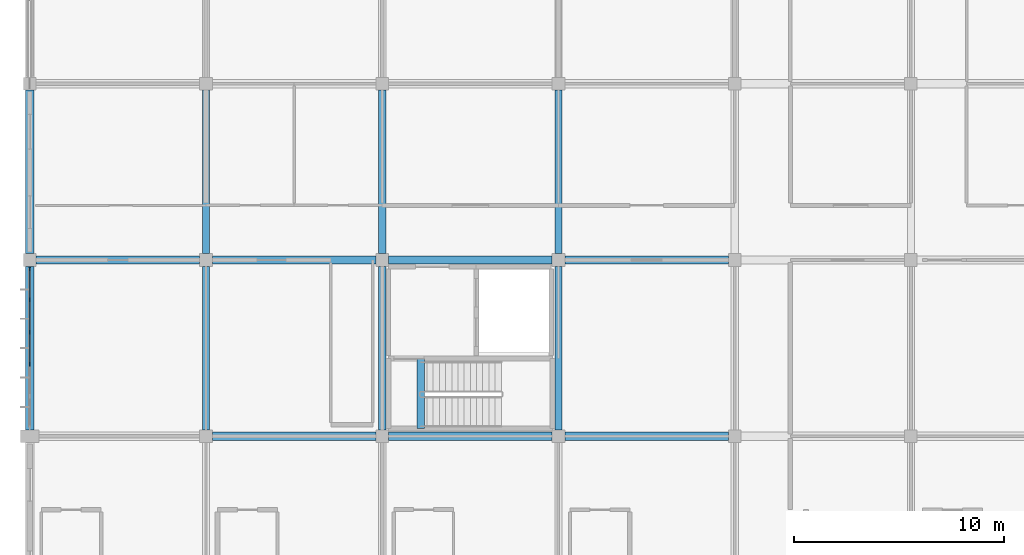
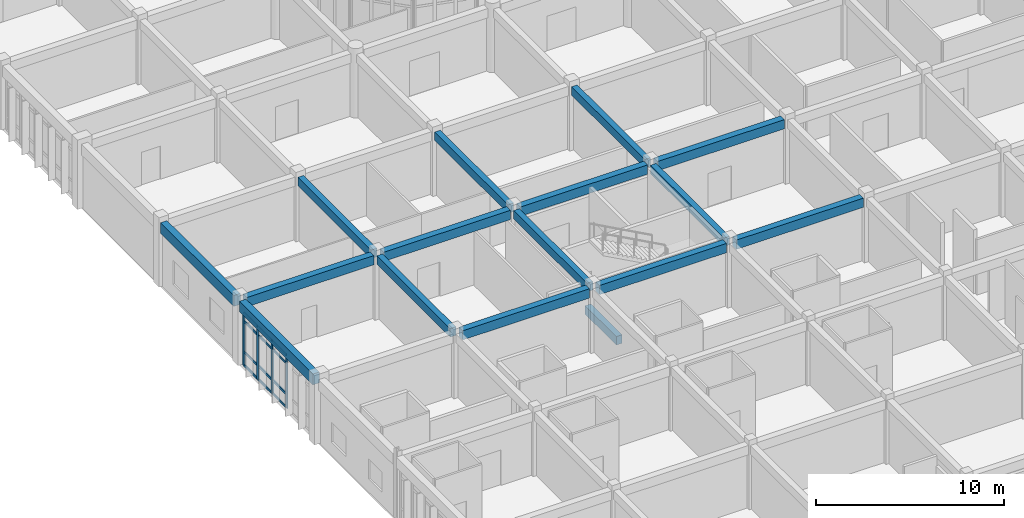
# One storey, part 19 of 144: 16 beams, 16 members, 1 element without a shape of its own.
"""IFC4 building model written with IfcOpenShell, lengths in metres."""

from ifc_helpers import new_model, si_unit, direction, frame, origin, origin_2d, place, context, subcontext, project, spatial, rectangle, extrude, material, layer, layer_set, material_profile, profile_set, type_object, element, aggregate, save


model = new_model("IFC4")

# Units and contexts
model_context = context("Model", 3, precision=1e-05, world=origin(), true_north=direction((0.0, 1.0)))
body_context = subcontext(model_context, "Body", "Model", "MODEL_VIEW")
ifc_project = project(units=[si_unit("LENGTHUNIT", "METRE"), si_unit("AREAUNIT", "SQUARE_METRE"), si_unit("VOLUMEUNIT", "CUBIC_METRE"), si_unit("PLANEANGLEUNIT", "RADIAN"), si_unit("MASSUNIT", "GRAM", prefix="KILO")], contexts=[model_context])

# Site, building, storey
site_placement = place(None, origin())
site = spatial("IfcSite", under=ifc_project, at=site_placement, CompositionType="ELEMENT")
building_placement = place(site_placement, origin())
building = spatial("IfcBuilding", under=site, at=building_placement, Name="Bramfleet General Hospital", CompositionType="ELEMENT")
storey_placement = place(building_placement, frame((0.0, 0.0, 4.800048828125)))
storey = spatial("IfcBuildingStorey", under=building, at=storey_placement, Name="L01", CompositionType="ELEMENT", Elevation=4.800048828125)

# Beams
ifc_material_1 = material(Name="Concrete C35/45", Category="concrete")
ifc_material_profile_1 = material_profile(ifc_material_1, rectangle(XDim=0.35009765625, YDim=0.550048828125, at=origin_2d()), Name="RC BM 550x350")
ifc_profile_set_1 = profile_set([ifc_material_profile_1], Name="Concrete C35/45")
beam_type_1 = type_object("IfcBeamType", Name="BM-RC550", PredefinedType="BEAM", material=ifc_profile_set_1)
beam_1_placement = place(storey_placement, frame((8.39990234375, 50.699951171875, 3.875), z_axis=(0.0, 1.0, 0.0), x_axis=(-1.0, 0.0, 0.0)))
element("IfcBeam", 1, at=beam_1_placement, inside=storey, type_object=beam_type_1, Name="L01 Grid Beam Y 01-06", PredefinedType="BEAM", context=body_context, shape_type="SweptSolid", body=[
    extrude(rectangle(XDim=0.35009765625, YDim=0.550048828125, at=origin_2d()), origin(), (0.0, 0.0, 1.0), 7.800048828125),
])
beam_2_placement = place(storey_placement, frame((8.39990234375, 59.10009765625, 3.875), z_axis=(0.0, 1.0, 0.0), x_axis=(-1.0, 0.0, 0.0)))
element("IfcBeam", 2, at=beam_2_placement, inside=storey, type_object=beam_type_1, Name="L01 Grid Beam Y 01-07", PredefinedType="BEAM", context=body_context, shape_type="SweptSolid", body=[
    extrude(rectangle(XDim=0.35009765625, YDim=0.550048828125, at=origin_2d()), origin(), (0.0, 0.0, 1.0), 7.7998046875),
])
beam_3_placement = place(storey_placement, frame((16.800048828125, 50.699951171875, 3.875), z_axis=(0.0, 1.0, 0.0), x_axis=(-1.0, 0.0, 0.0)))
element("IfcBeam", 3, at=beam_3_placement, inside=storey, type_object=beam_type_1, Name="L01 Grid Beam Y 02-06", PredefinedType="BEAM", context=body_context, shape_type="SweptSolid", body=[
    extrude(rectangle(XDim=0.35009765625, YDim=0.550048828125, at=origin_2d()), origin(), (0.0, 0.0, 1.0), 7.800048828125),
])
beam_4_placement = place(storey_placement, frame((16.800048828125, 59.10009765625, 3.875), z_axis=(0.0, 1.0, 0.0), x_axis=(-1.0, 0.0, 0.0)))
element("IfcBeam", 4, at=beam_4_placement, inside=storey, type_object=beam_type_1, Name="L01 Grid Beam Y 02-07", PredefinedType="BEAM", context=body_context, shape_type="SweptSolid", body=[
    extrude(rectangle(XDim=0.35009765625, YDim=0.550048828125, at=origin_2d()), origin(), (0.0, 0.0, 1.0), 7.7998046875),
])
beam_5_placement = place(storey_placement, frame((25.199951171875, 50.699951171875, 3.875), z_axis=(0.0, 1.0, 0.0), x_axis=(-1.0, 0.0, 0.0)))
element("IfcBeam", 5, at=beam_5_placement, inside=storey, type_object=beam_type_1, Name="L01 Grid Beam Y 03-06", PredefinedType="BEAM", context=body_context, shape_type="SweptSolid", body=[
    extrude(rectangle(XDim=0.35009765625, YDim=0.550048828125, at=origin_2d()), origin(), (0.0, 0.0, 1.0), 7.800048828125),
])
beam_6_placement = place(storey_placement, frame((25.199951171875, 59.10009765625, 3.875), z_axis=(0.0, 1.0, 0.0), x_axis=(-1.0, 0.0, 0.0)))
element("IfcBeam", 6, at=beam_6_placement, inside=storey, type_object=beam_type_1, Name="L01 Grid Beam Y 03-07", PredefinedType="BEAM", context=body_context, shape_type="SweptSolid", body=[
    extrude(rectangle(XDim=0.35009765625, YDim=0.550048828125, at=origin_2d()), origin(), (0.0, 0.0, 1.0), 7.7998046875),
])
beam_7_placement = place(storey_placement, frame((18.639892578125, 50.780029296875, -0.275146484375), z_axis=(0.0, 1.0, 0.0), x_axis=(-1.0, 0.0, 0.0)))
element("IfcBeam", 7, at=beam_7_placement, inside=storey, type_object=beam_type_1, Name="L01 C2 Stairwell Trimmer Beam", PredefinedType="BEAM", context=body_context, shape_type="SweptSolid", body=[
    extrude(rectangle(XDim=0.35009765625, YDim=0.550048828125, at=origin_2d()), origin(), (0.0, 0.0, 1.0), 3.320068359375),
])
ifc_material_profile_2 = material_profile(ifc_material_1, rectangle(XDim=0.39990234375, YDim=0.60009765625, at=origin_2d()), Name="RC BM 600x400")
ifc_profile_set_2 = profile_set([ifc_material_profile_2], Name="Concrete C35/45")
beam_type_2 = type_object("IfcBeamType", Name="BM-RC600", PredefinedType="BEAM", material=ifc_profile_set_2)
for number, where, z_axis, x_axis, name in (
    (8, (0.300048828125, 58.800048828125, 3.849853515625), (1.0, 0.0, 0.0), (0.0, 1.0, 0.0), "L01 Grid Beam X 00-07"),
    (9, (8.699951171875, 50.39990234375, 3.849853515625), (1.0, 0.0, 0.0), (0.0, 1.0, 0.0), "L01 Grid Beam X 01-06"),
    (10, (8.699951171875, 58.800048828125, 3.849853515625), (1.0, 0.0, 0.0), (0.0, 1.0, 0.0), "L01 Grid Beam X 01-07"),
):
    element("IfcBeam", number, at=place(storey_placement, frame(where, z_axis=z_axis, x_axis=x_axis)), inside=storey, type_object=beam_type_2, Name=name, PredefinedType="BEAM", context=body_context, shape_type="SweptSolid", body=[
        extrude(rectangle(XDim=0.39990234375, YDim=0.60009765625, at=origin_2d()), origin(), (0.0, 0.0, 1.0), 7.800048828125),
    ])
for number, where, z_axis, x_axis, name in (
    (11, (17.10009765625, 50.39990234375, 3.849853515625), (1.0, 0.0, 0.0), (0.0, 1.0, 0.0), "L01 Grid Beam X 02-06"),
    (12, (17.10009765625, 58.800048828125, 3.849853515625), (1.0, 0.0, 0.0), (0.0, 1.0, 0.0), "L01 Grid Beam X 02-07"),
):
    element("IfcBeam", number, at=place(storey_placement, frame(where, z_axis=z_axis, x_axis=x_axis)), inside=storey, type_object=beam_type_2, Name=name, PredefinedType="BEAM", context=body_context, shape_type="SweptSolid", body=[
        extrude(rectangle(XDim=0.39990234375, YDim=0.60009765625, at=origin_2d()), origin(), (0.0, 0.0, 1.0), 7.7998046875),
    ])
for number, where, z_axis, x_axis, name in (
    (13, (25.5, 50.39990234375, 3.849853515625), (1.0, 0.0, 0.0), (0.0, 1.0, 0.0), "L01 Grid Beam X 03-06"),
    (14, (25.5, 58.800048828125, 3.849853515625), (1.0, 0.0, 0.0), (0.0, 1.0, 0.0), "L01 Grid Beam X 03-07"),
):
    element("IfcBeam", number, at=place(storey_placement, frame(where, z_axis=z_axis, x_axis=x_axis)), inside=storey, type_object=beam_type_2, Name=name, PredefinedType="BEAM", context=body_context, shape_type="SweptSolid", body=[
        extrude(rectangle(XDim=0.39990234375, YDim=0.60009765625, at=origin_2d()), origin(), (0.0, 0.0, 1.0), 7.800048828125),
    ])
ifc_material_profile_3 = material_profile(ifc_material_1, rectangle(XDim=0.39990234375, YDim=0.699951171875, at=origin_2d()), Name="RC SP 700x400")
ifc_profile_set_3 = profile_set([ifc_material_profile_3], Name="Concrete C35/45")
beam_type_3 = type_object("IfcBeamType", Name="BM-SP700", PredefinedType="SPANDREL", material=ifc_profile_set_3)
beam_8_placement = place(storey_placement, frame((0.0, 50.699951171875, 3.800048828125), z_axis=(0.0, 1.0, 0.0), x_axis=(-1.0, 0.0, 0.0)))
element("IfcBeam", 15, at=beam_8_placement, inside=storey, type_object=beam_type_3, Name="L01 Grid Beam Y 00-06", PredefinedType="SPANDREL", context=body_context, shape_type="SweptSolid", body=[
    extrude(rectangle(XDim=0.39990234375, YDim=0.699951171875, at=origin_2d()), origin(), (0.0, 0.0, 1.0), 7.800048828125),
])
beam_9_placement = place(storey_placement, frame((0.0, 59.10009765625, 3.800048828125), z_axis=(0.0, 1.0, 0.0), x_axis=(-1.0, 0.0, 0.0)))
element("IfcBeam", 16, at=beam_9_placement, inside=storey, type_object=beam_type_3, Name="L01 Grid Beam Y 00-07", PredefinedType="SPANDREL", context=body_context, shape_type="SweptSolid", body=[
    extrude(rectangle(XDim=0.39990234375, YDim=0.699951171875, at=origin_2d()), origin(), (0.0, 0.0, 1.0), 7.7998046875),
])

# Curtain wall, members
ifc_material_2 = material(Name="Anodised aluminium and low-E triple glazing", Category="aluminium")
ifc_layer = layer(ifc_material_2, 0.179931640625, Name="CWT-CW-03")
ifc_layer_set = layer_set([ifc_layer], Name="Anodised aluminium and low-E triple glazing")
curtain_wall_type = type_object("IfcCurtainWallType", Name="CWT-CW-03", PredefinedType="USERDEFINED", material=ifc_layer_set)
curtain_wall_placement = place(storey_placement, origin())
curtain_wall = element("IfcCurtainWall", 17, at=curtain_wall_placement, inside=storey, type_object=curtain_wall_type, Name="L01 Curtain Wall 93", ObjectType="Unitised curtain wall", PredefinedType="USERDEFINED")
ifc_material_3 = material(Name="Structural timber GL28h", Category="wood")
ifc_material_profile_4 = material_profile(ifc_material_3, rectangle(XDim=0.070068359375, YDim=0.18994140625, at=origin_2d()), Name="LARCH 190x70")
ifc_profile_set_4 = profile_set([ifc_material_profile_4], Name="Structural timber GL28h")
member_type_1 = type_object("IfcMemberType", Name="CWM-LARCH450", PredefinedType="MULLION", material=ifc_profile_set_4)
member_1_placement = place(storey_placement, frame((0.0, 53.8349609375, 0.0), z_axis=(0.0, 0.0, 1.0), x_axis=(-1.0, 0.0, 0.0)))
member_1 = element("IfcMember", 18, at=member_1_placement, type_object=member_type_1, Name="CW-03 mullion 3", PredefinedType="MULLION", context=body_context, shape_type="SweptSolid", body=[
    extrude(rectangle(XDim=0.070068359375, YDim=0.18994140625, at=origin_2d()), origin(), (0.0, 0.0, 1.0), 3.43994140625),
])
member_2_placement = place(storey_placement, frame((0.0, 55.364990234375, 0.0), z_axis=(0.0, 0.0, 1.0), x_axis=(-1.0, 0.0, 0.0)))
member_2 = element("IfcMember", 19, at=member_2_placement, type_object=member_type_1, Name="CW-03 mullion 4", PredefinedType="MULLION", context=body_context, shape_type="SweptSolid", body=[
    extrude(rectangle(XDim=0.070068359375, YDim=0.18994140625, at=origin_2d()), origin(), (0.0, 0.0, 1.0), 3.43994140625),
])
member_3_placement = place(storey_placement, frame((0.0, 56.89501953125, 0.0), z_axis=(0.0, 0.0, 1.0), x_axis=(-1.0, 0.0, 0.0)))
member_3 = element("IfcMember", 20, at=member_3_placement, type_object=member_type_1, Name="CW-03 mullion 5", PredefinedType="MULLION", context=body_context, shape_type="SweptSolid", body=[
    extrude(rectangle(XDim=0.070068359375, YDim=0.18994140625, at=origin_2d()), origin(), (0.0, 0.0, 1.0), 3.43994140625),
])
member_4_placement = place(storey_placement, frame((0.0, 58.389892578125, 0.0), z_axis=(0.0, 0.0, 1.0), x_axis=(-1.0, 0.0, 0.0)))
member_4 = element("IfcMember", 21, at=member_4_placement, type_object=member_type_1, Name="CW-03 mullion 6", PredefinedType="MULLION", context=body_context, shape_type="SweptSolid", body=[
    extrude(rectangle(XDim=0.070068359375, YDim=0.18994140625, at=origin_2d()), origin(), (0.0, 0.0, 1.0), 3.43994140625),
])
ifc_material_profile_5 = material_profile(ifc_material_3, rectangle(XDim=0.06494140625, YDim=0.14990234375, at=origin_2d()), Name="LARCH 150x65")
ifc_profile_set_5 = profile_set([ifc_material_profile_5], Name="Structural timber GL28h")
member_type_2 = type_object("IfcMemberType", Name="CWT-LARCH220", PredefinedType="USERDEFINED", material=ifc_profile_set_5)
member_5_placement = place(storey_placement, frame((0.0, 53.8701171875, 0.032470703125), z_axis=(0.0, 1.0, 0.0), x_axis=(-1.0, 0.0, 0.0)))
member_5 = element("IfcMember", 22, at=member_5_placement, type_object=member_type_2, Name="CW-03 transom 3.1", ObjectType="TRANSOM", PredefinedType="USERDEFINED", context=body_context, shape_type="SweptSolid", body=[
    extrude(rectangle(XDim=0.06494140625, YDim=0.14990234375, at=origin_2d()), origin(), (0.0, 0.0, 1.0), 1.4599609375),
])
member_6_placement = place(storey_placement, frame((0.0, 53.8701171875, 0.89990234375), z_axis=(0.0, 1.0, 0.0), x_axis=(-1.0, 0.0, 0.0)))
member_6 = element("IfcMember", 23, at=member_6_placement, type_object=member_type_2, Name="CW-03 transom 3.2", ObjectType="TRANSOM", PredefinedType="USERDEFINED", context=body_context, shape_type="SweptSolid", body=[
    extrude(rectangle(XDim=0.06494140625, YDim=0.14990234375, at=origin_2d()), origin(), (0.0, 0.0, 1.0), 1.4599609375),
])
member_7_placement = place(storey_placement, frame((0.0, 53.8701171875, 2.889892578125), z_axis=(0.0, 1.0, 0.0), x_axis=(-1.0, 0.0, 0.0)))
member_7 = element("IfcMember", 24, at=member_7_placement, type_object=member_type_2, Name="CW-03 transom 3.3", ObjectType="TRANSOM", PredefinedType="USERDEFINED", context=body_context, shape_type="SweptSolid", body=[
    extrude(rectangle(XDim=0.06494140625, YDim=0.14990234375, at=origin_2d()), origin(), (0.0, 0.0, 1.0), 1.4599609375),
])
member_8_placement = place(storey_placement, frame((0.0, 53.8701171875, 3.407470703125), z_axis=(0.0, 1.0, 0.0), x_axis=(-1.0, 0.0, 0.0)))
member_8 = element("IfcMember", 25, at=member_8_placement, type_object=member_type_2, Name="CW-03 transom 3.4", ObjectType="TRANSOM", PredefinedType="USERDEFINED", context=body_context, shape_type="SweptSolid", body=[
    extrude(rectangle(XDim=0.06494140625, YDim=0.14990234375, at=origin_2d()), origin(), (0.0, 0.0, 1.0), 1.4599609375),
])
member_9_placement = place(storey_placement, frame((0.0, 55.39990234375, 0.032470703125), z_axis=(0.0, 1.0, 0.0), x_axis=(-1.0, 0.0, 0.0)))
member_9 = element("IfcMember", 26, at=member_9_placement, type_object=member_type_2, Name="CW-03 transom 4.1", ObjectType="TRANSOM", PredefinedType="USERDEFINED", context=body_context, shape_type="SweptSolid", body=[
    extrude(rectangle(XDim=0.06494140625, YDim=0.14990234375, at=origin_2d()), origin(), (0.0, 0.0, 1.0), 1.460205078125),
])
member_10_placement = place(storey_placement, frame((0.0, 55.39990234375, 0.89990234375), z_axis=(0.0, 1.0, 0.0), x_axis=(-1.0, 0.0, 0.0)))
member_10 = element("IfcMember", 27, at=member_10_placement, type_object=member_type_2, Name="CW-03 transom 4.2", ObjectType="TRANSOM", PredefinedType="USERDEFINED", context=body_context, shape_type="SweptSolid", body=[
    extrude(rectangle(XDim=0.06494140625, YDim=0.14990234375, at=origin_2d()), origin(), (0.0, 0.0, 1.0), 1.460205078125),
])
member_11_placement = place(storey_placement, frame((0.0, 55.39990234375, 2.889892578125), z_axis=(0.0, 1.0, 0.0), x_axis=(-1.0, 0.0, 0.0)))
member_11 = element("IfcMember", 28, at=member_11_placement, type_object=member_type_2, Name="CW-03 transom 4.3", ObjectType="TRANSOM", PredefinedType="USERDEFINED", context=body_context, shape_type="SweptSolid", body=[
    extrude(rectangle(XDim=0.06494140625, YDim=0.14990234375, at=origin_2d()), origin(), (0.0, 0.0, 1.0), 1.460205078125),
])
member_12_placement = place(storey_placement, frame((0.0, 55.39990234375, 3.407470703125), z_axis=(0.0, 1.0, 0.0), x_axis=(-1.0, 0.0, 0.0)))
member_12 = element("IfcMember", 29, at=member_12_placement, type_object=member_type_2, Name="CW-03 transom 4.4", ObjectType="TRANSOM", PredefinedType="USERDEFINED", context=body_context, shape_type="SweptSolid", body=[
    extrude(rectangle(XDim=0.06494140625, YDim=0.14990234375, at=origin_2d()), origin(), (0.0, 0.0, 1.0), 1.460205078125),
])
member_13_placement = place(storey_placement, frame((0.0, 56.929931640625, 0.032470703125), z_axis=(0.0, 1.0, 0.0), x_axis=(-1.0, 0.0, 0.0)))
member_13 = element("IfcMember", 30, at=member_13_placement, type_object=member_type_2, Name="CW-03 transom 5.1", ObjectType="TRANSOM", PredefinedType="USERDEFINED", context=body_context, shape_type="SweptSolid", body=[
    extrude(rectangle(XDim=0.06494140625, YDim=0.14990234375, at=origin_2d()), origin(), (0.0, 0.0, 1.0), 1.425048828125),
])
member_14_placement = place(storey_placement, frame((0.0, 56.929931640625, 0.89990234375), z_axis=(0.0, 1.0, 0.0), x_axis=(-1.0, 0.0, 0.0)))
member_14 = element("IfcMember", 31, at=member_14_placement, type_object=member_type_2, Name="CW-03 transom 5.2", ObjectType="TRANSOM", PredefinedType="USERDEFINED", context=body_context, shape_type="SweptSolid", body=[
    extrude(rectangle(XDim=0.06494140625, YDim=0.14990234375, at=origin_2d()), origin(), (0.0, 0.0, 1.0), 1.425048828125),
])
member_15_placement = place(storey_placement, frame((0.0, 56.929931640625, 2.889892578125), z_axis=(0.0, 1.0, 0.0), x_axis=(-1.0, 0.0, 0.0)))
member_15 = element("IfcMember", 32, at=member_15_placement, type_object=member_type_2, Name="CW-03 transom 5.3", ObjectType="TRANSOM", PredefinedType="USERDEFINED", context=body_context, shape_type="SweptSolid", body=[
    extrude(rectangle(XDim=0.06494140625, YDim=0.14990234375, at=origin_2d()), origin(), (0.0, 0.0, 1.0), 1.425048828125),
])
member_16_placement = place(storey_placement, frame((0.0, 56.929931640625, 3.407470703125), z_axis=(0.0, 1.0, 0.0), x_axis=(-1.0, 0.0, 0.0)))
member_16 = element("IfcMember", 33, at=member_16_placement, type_object=member_type_2, Name="CW-03 transom 5.4", ObjectType="TRANSOM", PredefinedType="USERDEFINED", context=body_context, shape_type="SweptSolid", body=[
    extrude(rectangle(XDim=0.06494140625, YDim=0.14990234375, at=origin_2d()), origin(), (0.0, 0.0, 1.0), 1.425048828125),
])
aggregate(curtain_wall, [member_1, member_2, member_3, member_4, member_5, member_6, member_7, member_8, member_9, member_10, member_11, member_12, member_13, member_14, member_15, member_16])

save(model, "model.ifc")
